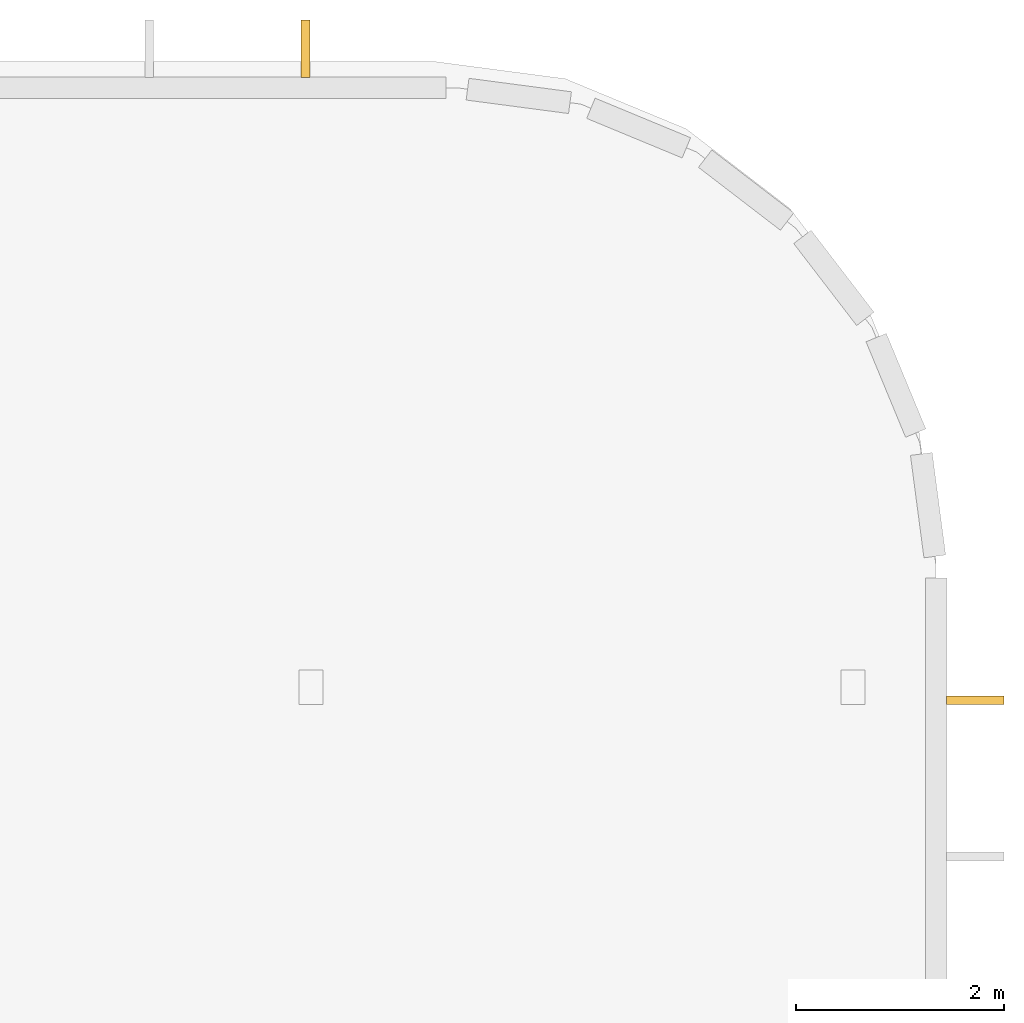
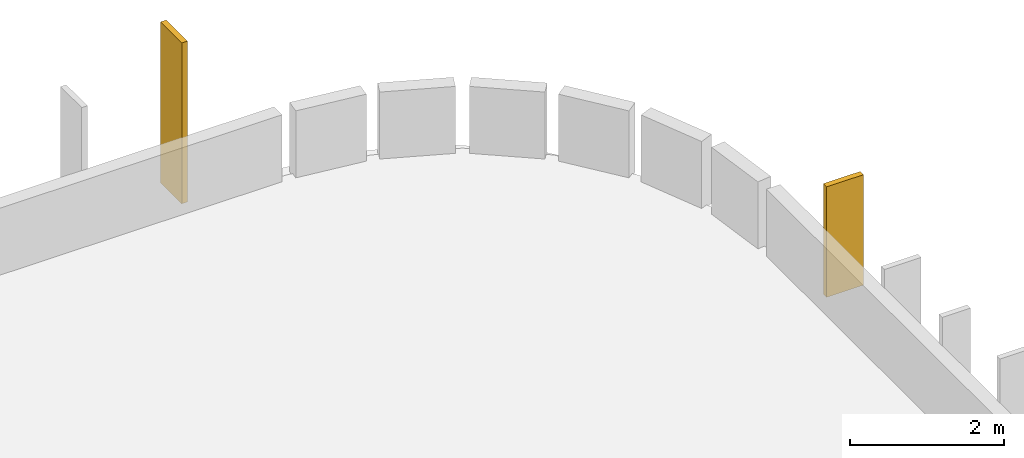
# One storey, part 3 of 3: 2 coverings.
"""IFC4 building model written with IfcOpenShell, lengths in metres."""

from ifc_helpers import new_model, si_unit, direction, frame, origin, origin_2d, place, context, subcontext, project, spatial, rectangle, extrude, material, layer, layer_set, type_object, element, save


model = new_model("IFC4")

# Units and contexts
model_context = context("Model", 3, precision=1e-05, world=origin(), true_north=direction((0.0, 1.0)))
body_context = subcontext(model_context, "Body", "Model", "MODEL_VIEW")
ifc_project = project(units=[si_unit("LENGTHUNIT", "METRE"), si_unit("AREAUNIT", "SQUARE_METRE"), si_unit("VOLUMEUNIT", "CUBIC_METRE"), si_unit("PLANEANGLEUNIT", "RADIAN"), si_unit("MASSUNIT", "GRAM", prefix="KILO")], contexts=[model_context])

# Site, building, storey
site_placement = place(None, origin())
site = spatial("IfcSite", under=ifc_project, at=site_placement, CompositionType="ELEMENT")
building_placement = place(site_placement, origin())
building = spatial("IfcBuilding", under=site, at=building_placement, Name="Varnakota Square Police Headquarters", CompositionType="ELEMENT")
storey_placement = place(building_placement, frame((0.0, 0.0, 34.199951171875)))
storey = spatial("IfcBuildingStorey", under=building, at=storey_placement, Name="RF", CompositionType="ELEMENT", Elevation=34.199951171875)

# Coverings
ifc_material = material(Name="White Anodised Aluminium Vertical Facade Blade 550", Category="aluminium")
ifc_layer = layer(ifc_material, 0.0849609375, Name="White Anodised Aluminium Vertical Facade Blade 550")
ifc_layer_set = layer_set([ifc_layer], Name="White Anodised Aluminium Vertical Facade Blade 550")
covering_type = type_object("IfcCoveringType", Name="COV-FIN-550", PredefinedType="CLADDING", material=ifc_layer_set)
covering_1_placement = place(storey_placement, frame((162.375, 32.875, 0.050048828125), z_axis=(0.0, 0.0, 1.0), x_axis=(0.0, 1.0, 0.0)))
element("IfcCovering", 1, at=covering_1_placement, inside=storey, type_object=covering_type, Name="Vertical aluminium facade fin FIN-1604", PredefinedType="CLADDING", context=body_context, shape_type="SweptSolid", body=[
    extrude(rectangle(XDim=0.0849609375, YDim=0.550048828125, at=origin_2d()), origin(), (0.0, 0.0, 1.0), 1.75),
])
covering_2_placement = place(storey_placement, frame((155.949951171875, 39.125, 0.0498046875), z_axis=(0.0, 0.0, 1.0), x_axis=(-1.0, 0.0, 0.0)))
element("IfcCovering", 2, at=covering_2_placement, inside=storey, type_object=covering_type, Name="Vertical aluminium facade fin FIN-1605", PredefinedType="CLADDING", context=body_context, shape_type="SweptSolid", body=[
    extrude(rectangle(XDim=0.0849609375, YDim=0.550048828125, at=origin_2d()), origin(), (0.0, 0.0, 1.0), 2.550048828125),
])

save(model, "model.ifc")
